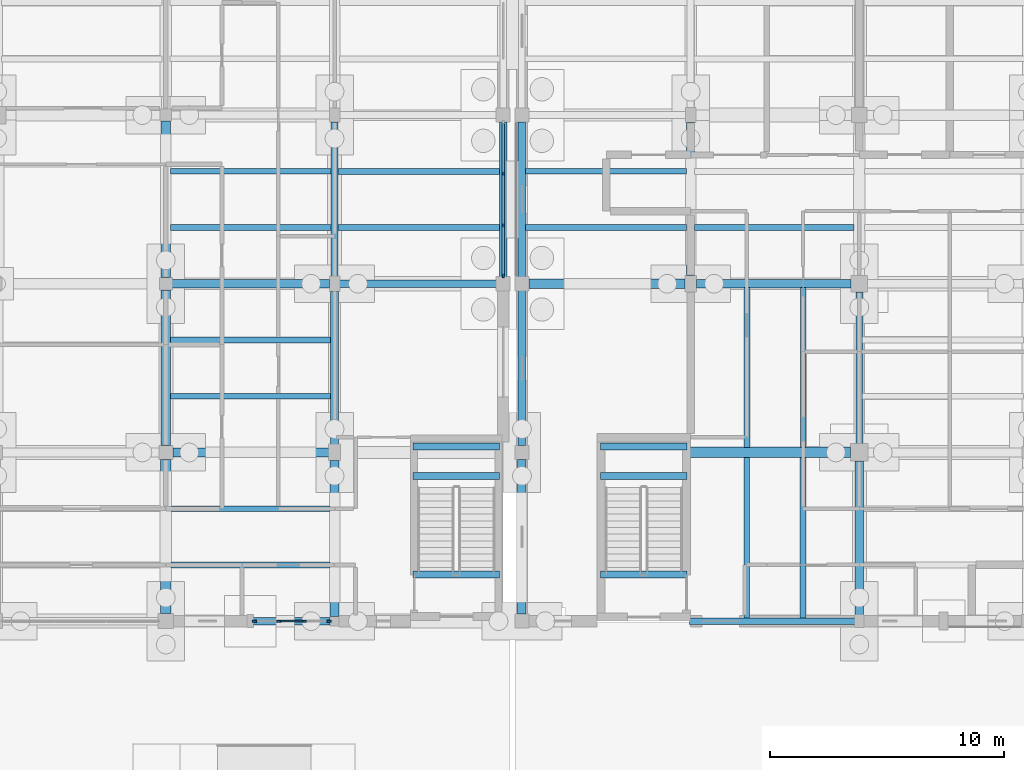
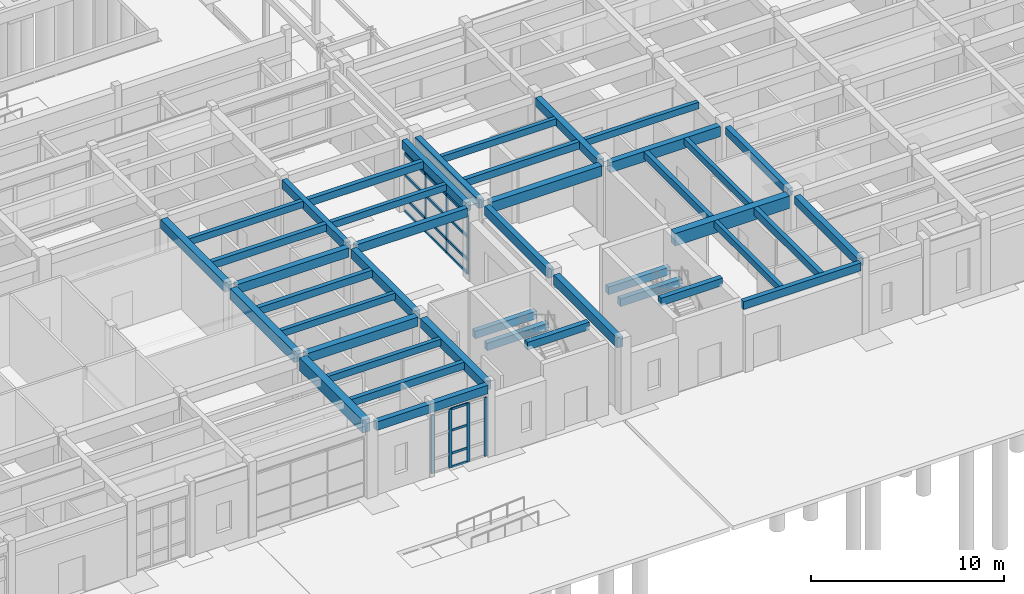
# One storey, part 43 of 143: 42 beams, 23 members, 2 elements without a shape of their own.
"""IFC4 building model written with IfcOpenShell, lengths in metres."""

from ifc_helpers import new_model, si_unit, direction, frame, origin, origin_2d, place, context, subcontext, project, spatial, rectangle, extrude, material, material_profile, profile_set, type_object, element, aggregate, save


model = new_model("IFC4")

# Units and contexts
model_context = context("Model", 3, precision=1e-05, world=origin(), true_north=direction((0.0, 1.0)))
body_context = subcontext(model_context, "Body", "Model", "MODEL_VIEW")
ifc_project = project(units=[si_unit("LENGTHUNIT", "METRE"), si_unit("AREAUNIT", "SQUARE_METRE"), si_unit("VOLUMEUNIT", "CUBIC_METRE"), si_unit("PLANEANGLEUNIT", "RADIAN"), si_unit("MASSUNIT", "GRAM", prefix="KILO")], contexts=[model_context])

# Site, building, storey
site_placement = place(None, origin())
site = spatial("IfcSite", under=ifc_project, at=site_placement, CompositionType="ELEMENT")
building_placement = place(site_placement, origin())
building = spatial("IfcBuilding", under=site, at=building_placement, Name="Steenspoor Specialist Clinic", CompositionType="ELEMENT")
storey_placement = place(building_placement, origin())
storey = spatial("IfcBuildingStorey", under=building, at=storey_placement, Name="L00", CompositionType="ELEMENT", Elevation=0.0)

# Beams
ifc_material_1 = material(Name="Concrete C35/45", Category="concrete")
ifc_material_profile_1 = material_profile(ifc_material_1, rectangle(XDim=0.300048828125, YDim=0.47998046875, at=origin_2d()), Name="RC-BM-300X480")
ifc_profile_set_1 = profile_set([ifc_material_profile_1], Name="Concrete C35/45")
beam_type_1 = type_object("IfcBeamType", Name="BM-RC-300X480", PredefinedType="BEAM", material=ifc_profile_set_1)
for number, where, z_axis, x_axis, name in (
    (1, (113.35009765625, 19.25, 1.9599609375), (1.0, 0.0, 0.0), (0.0, 1.0, 0.0), "Stair Mid-Landing Bearer 1 ST-V1B L00"),
    (2, (113.35009765625, 20.5, 1.9599609375), (1.0, 0.0, 0.0), (0.0, 1.0, 0.0), "Stair Mid-Landing Bearer 2 ST-V1B L00"),
    (3, (113.35009765625, 15.050048828125, 4.56005859375), (1.0, 0.0, 0.0), (0.0, 1.0, 0.0), "Stair Well Trimmer Beam ST-V1B L00"),
    (4, (121.35009765625, 19.25, 1.9599609375), (1.0, 0.0, 0.0), (0.0, 1.0, 0.0), "Stair Mid-Landing Bearer 1 ST-V2A L00"),
    (5, (121.35009765625, 20.5, 1.9599609375), (1.0, 0.0, 0.0), (0.0, 1.0, 0.0), "Stair Mid-Landing Bearer 2 ST-V2A L00"),
    (6, (121.35009765625, 15.050048828125, 4.56005859375), (1.0, 0.0, 0.0), (0.0, 1.0, 0.0), "Stair Well Trimmer Beam ST-V2A L00"),
):
    element("IfcBeam", number, at=place(storey_placement, frame(where, z_axis=z_axis, x_axis=x_axis)), inside=storey, type_object=beam_type_1, Name=name, PredefinedType="BEAM", context=body_context, shape_type="SweptSolid", body=[
        extrude(rectangle(XDim=0.300048828125, YDim=0.47998046875, at=origin_2d()), origin(), (0.0, 0.0, 1.0), 3.699951171875),
    ])
beam_1_placement = place(storey_placement, frame((132.39990234375, 20.6201171875, 4.219970703125), z_axis=(0.0, 1.0, 0.0), x_axis=(-1.0, 0.0, 0.0)))
element("IfcBeam", 7, at=beam_1_placement, inside=storey, type_object=beam_type_1, Name="BM-V2-L00-Y0188", PredefinedType="BEAM", context=body_context, shape_type="SweptSolid", body=[
    extrude(rectangle(XDim=0.300048828125, YDim=0.47998046875, at=origin_2d()), origin(), (0.0, 0.0, 1.0), 6.48486328125),
])
ifc_material_profile_2 = material_profile(ifc_material_1, rectangle(XDim=0.300048828125, YDim=0.550048828125, at=origin_2d()), Name="RC-BM-300X550")
ifc_profile_set_2 = profile_set([ifc_material_profile_2], Name="Concrete C35/45")
beam_type_2 = type_object("IfcBeamType", Name="BM-RC-300X550", PredefinedType="BEAM", material=ifc_profile_set_2)
beam_2_placement = place(storey_placement, frame((110.219970703125, 27.449951171875, 4.27490234375), z_axis=(1.0, 0.0, 0.0), x_axis=(0.0, 1.0, 0.0)))
element("IfcBeam", 8, at=beam_2_placement, inside=storey, type_object=beam_type_2, Name="BM-V1-L00-X0019", PredefinedType="BEAM", context=body_context, shape_type="SweptSolid", body=[
    extrude(rectangle(XDim=0.300048828125, YDim=0.550048828125, at=origin_2d()), origin(), (0.0, 0.0, 1.0), 6.68505859375),
])
beam_3_placement = place(storey_placement, frame((110.0, 27.77001953125, 4.27490234375), z_axis=(0.0, 1.0, 0.0), x_axis=(-1.0, 0.0, 0.0)))
element("IfcBeam", 9, at=beam_3_placement, inside=storey, type_object=beam_type_2, Name="BM-V1-L00-Y0066", PredefinedType="BEAM", context=body_context, shape_type="SweptSolid", body=[
    extrude(rectangle(XDim=0.300048828125, YDim=0.550048828125, at=origin_2d()), origin(), (0.0, 0.0, 1.0), 6.5849609375),
])
ifc_material_profile_3 = material_profile(ifc_material_1, rectangle(XDim=0.35009765625, YDim=0.52001953125, at=origin_2d()), Name="RC-BM-350X520")
ifc_profile_set_3 = profile_set([ifc_material_profile_3], Name="Concrete C35/45")
beam_type_3 = type_object("IfcBeamType", Name="BM-RC-350X520", PredefinedType="BEAM", material=ifc_profile_set_3)
beam_4_placement = place(storey_placement, frame((125.199951171875, 27.794921875, 4.199951171875), z_axis=(0.0, 1.0, 0.0), x_axis=(-1.0, 0.0, 0.0)))
element("IfcBeam", 10, at=beam_4_placement, inside=storey, type_object=beam_type_3, Name="BM-V2-L00-Y0185", PredefinedType="BEAM", context=body_context, shape_type="SweptSolid", body=[
    extrude(rectangle(XDim=0.35009765625, YDim=0.52001953125, at=origin_2d()), origin(), (0.0, 0.0, 1.0), 6.53515625),
])
beam_5_placement = place(storey_placement, frame((132.39990234375, 13.320068359375, 4.199951171875), z_axis=(0.0, 1.0, 0.0), x_axis=(-1.0, 0.0, 0.0)))
element("IfcBeam", 11, at=beam_5_placement, inside=storey, type_object=beam_type_3, Name="BM-V2-L00-Y0187", PredefinedType="BEAM", context=body_context, shape_type="SweptSolid", body=[
    extrude(rectangle(XDim=0.35009765625, YDim=0.52001953125, at=origin_2d()), origin(), (0.0, 0.0, 1.0), 6.559814453125),
])
ifc_material_profile_4 = material_profile(ifc_material_1, rectangle(XDim=0.35009765625, YDim=0.580078125, at=origin_2d()), Name="RC-BM-350X580")
ifc_profile_set_4 = profile_set([ifc_material_profile_4], Name="Concrete C35/45")
beam_type_4 = type_object("IfcBeamType", Name="BM-RC-350X580", PredefinedType="BEAM", material=ifc_profile_set_4)
beam_6_placement = place(storey_placement, frame((103.070068359375, 27.449951171875, 4.260009765625), z_axis=(1.0, 0.0, 0.0), x_axis=(0.0, 1.0, 0.0)))
element("IfcBeam", 12, at=beam_6_placement, inside=storey, type_object=beam_type_4, Name="BM-V1-L00-X0018", PredefinedType="BEAM", context=body_context, shape_type="SweptSolid", body=[
    extrude(rectangle(XDim=0.35009765625, YDim=0.580078125, at=origin_2d()), origin(), (0.0, 0.0, 1.0), 6.7099609375),
])
beam_7_placement = place(storey_placement, frame((110.0, 20.594970703125, 4.260009765625), z_axis=(0.0, 1.0, 0.0), x_axis=(-1.0, 0.0, 0.0)))
element("IfcBeam", 13, at=beam_7_placement, inside=storey, type_object=beam_type_4, Name="BM-V1-L00-Y0065", PredefinedType="BEAM", context=body_context, shape_type="SweptSolid", body=[
    extrude(rectangle(XDim=0.35009765625, YDim=0.580078125, at=origin_2d()), origin(), (0.0, 0.0, 1.0), 6.534912109375),
])
ifc_material_profile_5 = material_profile(ifc_material_1, rectangle(XDim=0.35009765625, YDim=0.64990234375, at=origin_2d()), Name="RC-BM-350X650")
ifc_profile_set_5 = profile_set([ifc_material_profile_5], Name="Concrete C35/45")
beam_type_5 = type_object("IfcBeamType", Name="BM-RC-350X650", PredefinedType="BEAM", material=ifc_profile_set_5)
beam_8_placement = place(storey_placement, frame((125.445068359375, 27.449951171875, 4.135009765625), z_axis=(1.0, 0.0, 0.0), x_axis=(0.0, 1.0, 0.0)))
element("IfcBeam", 14, at=beam_8_placement, inside=storey, type_object=beam_type_5, Name="BM-V2-L00-X0164", PredefinedType="BEAM", context=body_context, shape_type="SweptSolid", body=[
    extrude(rectangle(XDim=0.35009765625, YDim=0.64990234375, at=origin_2d()), origin(), (0.0, 0.0, 1.0), 6.60986328125),
])
ifc_material_profile_6 = material_profile(ifc_material_1, rectangle(XDim=0.39990234375, YDim=0.580078125, at=origin_2d()), Name="RC-BM-400X580")
ifc_profile_set_6 = profile_set([ifc_material_profile_6], Name="Concrete C35/45")
beam_type_6 = type_object("IfcBeamType", Name="BM-RC-400X580", PredefinedType="BEAM", material=ifc_profile_set_6)
beam_9_placement = place(storey_placement, frame((103.094970703125, 20.25, 4.260009765625), z_axis=(1.0, 0.0, 0.0), x_axis=(0.0, 1.0, 0.0)))
element("IfcBeam", 15, at=beam_9_placement, inside=storey, type_object=beam_type_6, Name="BM-V1-L00-X0016", PredefinedType="BEAM", context=body_context, shape_type="SweptSolid", body=[
    extrude(rectangle(XDim=0.39990234375, YDim=0.580078125, at=origin_2d()), origin(), (0.0, 0.0, 1.0), 6.659912109375),
])
beam_10_placement = place(storey_placement, frame((102.800048828125, 27.719970703125, 4.260009765625), z_axis=(0.0, 1.0, 0.0), x_axis=(-1.0, 0.0, 0.0)))
element("IfcBeam", 16, at=beam_10_placement, inside=storey, type_object=beam_type_6, Name="BM-V1-L00-Y0062", PredefinedType="BEAM", context=body_context, shape_type="SweptSolid", body=[
    extrude(rectangle(XDim=0.39990234375, YDim=0.580078125, at=origin_2d()), origin(), (0.0, 0.0, 1.0), 6.68505859375),
])
beam_11_placement = place(storey_placement, frame((110.0, 13.2451171875, 4.260009765625), z_axis=(0.0, 1.0, 0.0), x_axis=(-1.0, 0.0, 0.0)))
element("IfcBeam", 17, at=beam_11_placement, inside=storey, type_object=beam_type_6, Name="BM-V1-L00-Y0064", PredefinedType="BEAM", context=body_context, shape_type="SweptSolid", body=[
    extrude(rectangle(XDim=0.39990234375, YDim=0.580078125, at=origin_2d()), origin(), (0.0, 0.0, 1.0), 6.659912109375),
])
ifc_material_profile_7 = material_profile(ifc_material_1, rectangle(XDim=0.39990234375, YDim=0.64990234375, at=origin_2d()), Name="RC-BM-400X650")
ifc_profile_set_7 = profile_set([ifc_material_profile_7], Name="Concrete C35/45")
beam_type_7 = type_object("IfcBeamType", Name="BM-RC-400X650", PredefinedType="BEAM", material=ifc_profile_set_7)
beam_12_placement = place(storey_placement, frame((118.294921875, 27.449951171875, 4.135009765625), z_axis=(1.0, 0.0, 0.0), x_axis=(0.0, 1.0, 0.0)))
element("IfcBeam", 18, at=beam_12_placement, inside=storey, type_object=beam_type_7, Name="BM-V2-L00-X0163", PredefinedType="BEAM", context=body_context, shape_type="SweptSolid", body=[
    extrude(rectangle(XDim=0.39990234375, YDim=0.64990234375, at=origin_2d()), origin(), (0.0, 0.0, 1.0), 6.66015625),
])
ifc_material_profile_8 = material_profile(ifc_material_1, rectangle(XDim=0.39990234375, YDim=0.699951171875, at=origin_2d()), Name="RC-BM-400X700")
ifc_profile_set_8 = profile_set([ifc_material_profile_8], Name="Concrete C35/45")
beam_type_8 = type_object("IfcBeamType", Name="BM-RC-400X700", PredefinedType="BEAM", material=ifc_profile_set_8)
beam_13_placement = place(storey_placement, frame((102.800048828125, 20.544921875, 4.199951171875), z_axis=(0.0, 1.0, 0.0), x_axis=(-1.0, 0.0, 0.0)))
element("IfcBeam", 19, at=beam_13_placement, inside=storey, type_object=beam_type_8, Name="BM-V1-L00-Y0061", PredefinedType="BEAM", context=body_context, shape_type="SweptSolid", body=[
    extrude(rectangle(XDim=0.39990234375, YDim=0.699951171875, at=origin_2d()), origin(), (0.0, 0.0, 1.0), 6.635009765625),
])
ifc_material_profile_9 = material_profile(ifc_material_1, rectangle(XDim=0.449951171875, YDim=0.800048828125, at=origin_2d()), Name="RC-BM-450X800")
ifc_profile_set_9 = profile_set([ifc_material_profile_9], Name="Concrete C35/45")
beam_type_9 = type_object("IfcBeamType", Name="BM-RC-450X800", PredefinedType="BEAM", material=ifc_profile_set_9)
beam_14_placement = place(storey_placement, frame((102.800048828125, 13.3701171875, 4.14990234375), z_axis=(0.0, 1.0, 0.0), x_axis=(-1.0, 0.0, 0.0)))
element("IfcBeam", 20, at=beam_14_placement, inside=storey, type_object=beam_type_9, Name="BM-V1-L00-Y0060", PredefinedType="BEAM", context=body_context, shape_type="SweptSolid", body=[
    extrude(rectangle(XDim=0.449951171875, YDim=0.800048828125, at=origin_2d()), origin(), (0.0, 0.0, 1.0), 6.5849609375),
])
beam_15_placement = place(storey_placement, frame((125.155029296875, 20.25, 4.06005859375), z_axis=(1.0, 0.0, 0.0), x_axis=(0.0, 1.0, 0.0)))
element("IfcBeam", 21, at=beam_15_placement, inside=storey, type_object=beam_type_9, Name="BM-V2-L00-X0159", PredefinedType="BEAM", context=body_context, shape_type="SweptSolid", body=[
    extrude(rectangle(XDim=0.449951171875, YDim=0.800048828125, at=origin_2d()), origin(), (0.0, 0.0, 1.0), 6.875),
])

# Curtain wall, members
ifc_material_2 = material(Name="Thermally broken aluminium and low-emissivity glass", Category="aluminium")
curtain_wall_type_1 = type_object("IfcCurtainWallType", Name="CW-TYP-360X355", PredefinedType="USERDEFINED", material=ifc_material_2)
curtain_wall_1_placement = place(storey_placement, origin())
curtain_wall_1 = element("IfcCurtainWall", 22, at=curtain_wall_1_placement, inside=storey, type_object=curtain_wall_type_1, Name="Unitised Curtain Wall CW-V1-L00-014", ObjectType="UNITISED GLAZING", PredefinedType="USERDEFINED")
ifc_material_3 = material(Name="Thermally broken aluminium 6063-T6", Category="aluminium")
ifc_material_profile_10 = material_profile(ifc_material_3, rectangle(XDim=0.070068359375, YDim=0.1650390625, at=origin_2d()), Name="CWM-70X165")
ifc_profile_set_10 = profile_set([ifc_material_profile_10], Name="Thermally broken aluminium 6063-T6")
member_type_1 = type_object("IfcMemberType", Name="CW-MULL-70X165", PredefinedType="MULLION", material=ifc_profile_set_10)
member_1_placement = place(storey_placement, frame((117.199951171875, 32.14990234375, 0.0), z_axis=(0.0, 0.0, 1.0), x_axis=(1.0, 0.0, 0.0)))
member_1 = element("IfcMember", 23, at=member_1_placement, type_object=member_type_1, Name="CW-14 mullion 2", PredefinedType="MULLION", context=body_context, shape_type="SweptSolid", body=[
    extrude(rectangle(XDim=0.070068359375, YDim=0.1650390625, at=origin_2d()), origin(), (0.0, 0.0, 1.0), 3.72998046875),
])
member_2_placement = place(storey_placement, frame((117.199951171875, 29.949951171875, 0.0), z_axis=(0.0, 0.0, 1.0), x_axis=(1.0, 0.0, 0.0)))
member_2 = element("IfcMember", 24, at=member_2_placement, type_object=member_type_1, Name="CW-14 mullion 3", PredefinedType="MULLION", context=body_context, shape_type="SweptSolid", body=[
    extrude(rectangle(XDim=0.070068359375, YDim=0.1650390625, at=origin_2d()), origin(), (0.0, 0.0, 1.0), 3.72998046875),
])
member_3_placement = place(storey_placement, frame((117.199951171875, 27.784912109375, 0.0), z_axis=(0.0, 0.0, 1.0), x_axis=(1.0, 0.0, 0.0)))
member_3 = element("IfcMember", 25, at=member_3_placement, type_object=member_type_1, Name="CW-14 mullion 4", PredefinedType="MULLION", context=body_context, shape_type="SweptSolid", body=[
    extrude(rectangle(XDim=0.070068359375, YDim=0.1650390625, at=origin_2d()), origin(), (0.0, 0.0, 1.0), 3.72998046875),
])

curtain_wall_type_2 = type_object("IfcCurtainWallType", Name="CW-HALL-660X820", PredefinedType="USERDEFINED", material=ifc_material_2)
curtain_wall_2_placement = place(storey_placement, origin())
curtain_wall_2 = element("IfcCurtainWall", 26, at=curtain_wall_2_placement, inside=storey, type_object=curtain_wall_type_2, Name="Unitised Curtain Wall CW-V1-L00-001", ObjectType="UNITISED GLAZING", PredefinedType="USERDEFINED")
ifc_material_profile_11 = material_profile(ifc_material_3, rectangle(XDim=0.080078125, YDim=0.179931640625, at=origin_2d()), Name="CWM-80X180")
ifc_profile_set_11 = profile_set([ifc_material_profile_11], Name="Thermally broken aluminium 6063-T6")
member_type_2 = type_object("IfcMemberType", Name="CW-MULL-80X180", PredefinedType="MULLION", material=ifc_profile_set_11)
member_4_placement = place(storey_placement, frame((109.760009765625, 13.050048828125, 0.0), z_axis=(0.0, 0.0, 1.0), x_axis=(0.0, -1.0, 0.0)))
member_4 = element("IfcMember", 27, at=member_4_placement, type_object=member_type_2, Name="CW-01 mullion 1", PredefinedType="MULLION", context=body_context, shape_type="SweptSolid", body=[
    extrude(rectangle(XDim=0.080078125, YDim=0.179931640625, at=origin_2d()), origin(), (0.0, 0.0, 1.0), 3.72998046875),
])
member_5_placement = place(storey_placement, frame((108.71337890625, 13.050048828125, 0.0), z_axis=(0.0, 0.0, 1.0), x_axis=(0.0, -1.0, 0.0)))
member_5 = element("IfcMember", 28, at=member_5_placement, type_object=member_type_2, Name="CW-01 mullion 2", PredefinedType="MULLION", context=body_context, shape_type="SweptSolid", body=[
    extrude(rectangle(XDim=0.080078125, YDim=0.179931640625, at=origin_2d()), origin(), (0.0, 0.0, 1.0), 3.72998046875),
])
member_6_placement = place(storey_placement, frame((107.626708984375, 13.050048828125, 0.0), z_axis=(0.0, 0.0, 1.0), x_axis=(0.0, -1.0, 0.0)))
member_6 = element("IfcMember", 29, at=member_6_placement, type_object=member_type_2, Name="CW-01 mullion 3", PredefinedType="MULLION", context=body_context, shape_type="SweptSolid", body=[
    extrude(rectangle(XDim=0.080078125, YDim=0.179931640625, at=origin_2d()), origin(), (0.0, 0.0, 1.0), 3.72998046875),
])
member_7_placement = place(storey_placement, frame((106.580078125, 13.050048828125, 0.0), z_axis=(0.0, 0.0, 1.0), x_axis=(0.0, -1.0, 0.0)))
member_7 = element("IfcMember", 30, at=member_7_placement, type_object=member_type_2, Name="CW-01 mullion 4", PredefinedType="MULLION", context=body_context, shape_type="SweptSolid", body=[
    extrude(rectangle(XDim=0.080078125, YDim=0.179931640625, at=origin_2d()), origin(), (0.0, 0.0, 1.0), 3.72998046875),
])
ifc_material_profile_12 = material_profile(ifc_material_3, rectangle(XDim=0.070068359375, YDim=0.14501953125, at=origin_2d()), Name="CWT-70X145")
ifc_profile_set_12 = profile_set([ifc_material_profile_12], Name="Thermally broken aluminium 6063-T6")
member_type_3 = type_object("IfcMemberType", Name="CW-TRAN-70X145", PredefinedType="USERDEFINED", material=ifc_profile_set_12)
member_8_placement = place(storey_placement, frame((108.67333984375, 13.050048828125, 0.034912109375), z_axis=(-1.0, 0.0, 0.0), x_axis=(0.0, -1.0, 0.0)))
member_8 = element("IfcMember", 31, at=member_8_placement, type_object=member_type_3, Name="CW-01 transom 2.1", ObjectType="TRANSOM", PredefinedType="USERDEFINED", context=body_context, shape_type="SweptSolid", body=[
    extrude(rectangle(XDim=0.070068359375, YDim=0.14501953125, at=origin_2d()), origin(), (0.0, 0.0, 1.0), 1.006591796875),
])
member_9_placement = place(storey_placement, frame((108.67333984375, 13.050048828125, 0.89990234375), z_axis=(-1.0, 0.0, 0.0), x_axis=(0.0, -1.0, 0.0)))
member_9 = element("IfcMember", 32, at=member_9_placement, type_object=member_type_3, Name="CW-01 transom 2.2", ObjectType="TRANSOM", PredefinedType="USERDEFINED", context=body_context, shape_type="SweptSolid", body=[
    extrude(rectangle(XDim=0.070068359375, YDim=0.14501953125, at=origin_2d()), origin(), (0.0, 0.0, 1.0), 1.006591796875),
])
member_10_placement = place(storey_placement, frame((108.67333984375, 13.050048828125, 2.35009765625), z_axis=(-1.0, 0.0, 0.0), x_axis=(0.0, -1.0, 0.0)))
member_10 = element("IfcMember", 33, at=member_10_placement, type_object=member_type_3, Name="CW-01 transom 2.3", ObjectType="TRANSOM", PredefinedType="USERDEFINED", context=body_context, shape_type="SweptSolid", body=[
    extrude(rectangle(XDim=0.070068359375, YDim=0.14501953125, at=origin_2d()), origin(), (0.0, 0.0, 1.0), 1.006591796875),
])
member_11_placement = place(storey_placement, frame((108.67333984375, 13.050048828125, 3.695068359375), z_axis=(-1.0, 0.0, 0.0), x_axis=(0.0, -1.0, 0.0)))
member_11 = element("IfcMember", 34, at=member_11_placement, type_object=member_type_3, Name="CW-01 transom 2.4", ObjectType="TRANSOM", PredefinedType="USERDEFINED", context=body_context, shape_type="SweptSolid", body=[
    extrude(rectangle(XDim=0.070068359375, YDim=0.14501953125, at=origin_2d()), origin(), (0.0, 0.0, 1.0), 1.006591796875),
])
aggregate(curtain_wall_2, [member_4, member_5, member_6, member_7, member_8, member_9, member_10, member_11])

# Member
ifc_material_profile_13 = material_profile(ifc_material_3, rectangle(XDim=0.090087890625, YDim=0.175048828125, at=origin_2d()), Name="CWT-90X175")
ifc_profile_set_13 = profile_set([ifc_material_profile_13], Name="Thermally broken aluminium 6063-T6")
member_type_4 = type_object("IfcMemberType", Name="CW-TRAN-90X175", PredefinedType="USERDEFINED", material=ifc_profile_set_13)
member_12_placement = place(storey_placement, frame((117.199951171875, 34.280029296875, 0.044921875), z_axis=(0.0, -1.0, 0.0), x_axis=(1.0, 0.0, 0.0)))
member_12 = element("IfcMember", 35, at=member_12_placement, type_object=member_type_4, Name="CW-14 transom 1.1", ObjectType="TRANSOM", PredefinedType="USERDEFINED", context=body_context, shape_type="SweptSolid", body=[
    extrude(rectangle(XDim=0.090087890625, YDim=0.175048828125, at=origin_2d()), origin(), (0.0, 0.0, 1.0), 2.094970703125),
])

member_13_placement = place(storey_placement, frame((117.199951171875, 34.280029296875, 0.89990234375), z_axis=(0.0, -1.0, 0.0), x_axis=(1.0, 0.0, 0.0)))
member_13 = element("IfcMember", 36, at=member_13_placement, type_object=member_type_4, Name="CW-14 transom 1.2", ObjectType="TRANSOM", PredefinedType="USERDEFINED", context=body_context, shape_type="SweptSolid", body=[
    extrude(rectangle(XDim=0.090087890625, YDim=0.175048828125, at=origin_2d()), origin(), (0.0, 0.0, 1.0), 2.094970703125),
])

member_14_placement = place(storey_placement, frame((117.199951171875, 34.280029296875, 2.35009765625), z_axis=(0.0, -1.0, 0.0), x_axis=(1.0, 0.0, 0.0)))
member_14 = element("IfcMember", 37, at=member_14_placement, type_object=member_type_4, Name="CW-14 transom 1.3", ObjectType="TRANSOM", PredefinedType="USERDEFINED", context=body_context, shape_type="SweptSolid", body=[
    extrude(rectangle(XDim=0.090087890625, YDim=0.175048828125, at=origin_2d()), origin(), (0.0, 0.0, 1.0), 2.094970703125),
])

member_15_placement = place(storey_placement, frame((117.199951171875, 34.280029296875, 3.68505859375), z_axis=(0.0, -1.0, 0.0), x_axis=(1.0, 0.0, 0.0)))
member_15 = element("IfcMember", 38, at=member_15_placement, type_object=member_type_4, Name="CW-14 transom 1.4", ObjectType="TRANSOM", PredefinedType="USERDEFINED", context=body_context, shape_type="SweptSolid", body=[
    extrude(rectangle(XDim=0.090087890625, YDim=0.175048828125, at=origin_2d()), origin(), (0.0, 0.0, 1.0), 2.094970703125),
])

member_16_placement = place(storey_placement, frame((117.199951171875, 32.114990234375, 0.044921875), z_axis=(0.0, -1.0, 0.0), x_axis=(1.0, 0.0, 0.0)))
member_16 = element("IfcMember", 39, at=member_16_placement, type_object=member_type_4, Name="CW-14 transom 2.1", ObjectType="TRANSOM", PredefinedType="USERDEFINED", context=body_context, shape_type="SweptSolid", body=[
    extrude(rectangle(XDim=0.090087890625, YDim=0.175048828125, at=origin_2d()), origin(), (0.0, 0.0, 1.0), 2.1298828125),
])

member_17_placement = place(storey_placement, frame((117.199951171875, 32.114990234375, 0.89990234375), z_axis=(0.0, -1.0, 0.0), x_axis=(1.0, 0.0, 0.0)))
member_17 = element("IfcMember", 40, at=member_17_placement, type_object=member_type_4, Name="CW-14 transom 2.2", ObjectType="TRANSOM", PredefinedType="USERDEFINED", context=body_context, shape_type="SweptSolid", body=[
    extrude(rectangle(XDim=0.090087890625, YDim=0.175048828125, at=origin_2d()), origin(), (0.0, 0.0, 1.0), 2.1298828125),
])

member_18_placement = place(storey_placement, frame((117.199951171875, 32.114990234375, 2.35009765625), z_axis=(0.0, -1.0, 0.0), x_axis=(1.0, 0.0, 0.0)))
member_18 = element("IfcMember", 41, at=member_18_placement, type_object=member_type_4, Name="CW-14 transom 2.3", ObjectType="TRANSOM", PredefinedType="USERDEFINED", context=body_context, shape_type="SweptSolid", body=[
    extrude(rectangle(XDim=0.090087890625, YDim=0.175048828125, at=origin_2d()), origin(), (0.0, 0.0, 1.0), 2.1298828125),
])

member_19_placement = place(storey_placement, frame((117.199951171875, 32.114990234375, 3.68505859375), z_axis=(0.0, -1.0, 0.0), x_axis=(1.0, 0.0, 0.0)))
member_19 = element("IfcMember", 42, at=member_19_placement, type_object=member_type_4, Name="CW-14 transom 2.4", ObjectType="TRANSOM", PredefinedType="USERDEFINED", context=body_context, shape_type="SweptSolid", body=[
    extrude(rectangle(XDim=0.090087890625, YDim=0.175048828125, at=origin_2d()), origin(), (0.0, 0.0, 1.0), 2.1298828125),
])

member_20_placement = place(storey_placement, frame((117.199951171875, 29.9150390625, 0.044921875), z_axis=(0.0, -1.0, 0.0), x_axis=(1.0, 0.0, 0.0)))
member_20 = element("IfcMember", 43, at=member_20_placement, type_object=member_type_4, Name="CW-14 transom 3.1", ObjectType="TRANSOM", PredefinedType="USERDEFINED", context=body_context, shape_type="SweptSolid", body=[
    extrude(rectangle(XDim=0.090087890625, YDim=0.175048828125, at=origin_2d()), origin(), (0.0, 0.0, 1.0), 2.094970703125),
])

member_21_placement = place(storey_placement, frame((117.199951171875, 29.9150390625, 0.89990234375), z_axis=(0.0, -1.0, 0.0), x_axis=(1.0, 0.0, 0.0)))
member_21 = element("IfcMember", 44, at=member_21_placement, type_object=member_type_4, Name="CW-14 transom 3.2", ObjectType="TRANSOM", PredefinedType="USERDEFINED", context=body_context, shape_type="SweptSolid", body=[
    extrude(rectangle(XDim=0.090087890625, YDim=0.175048828125, at=origin_2d()), origin(), (0.0, 0.0, 1.0), 2.094970703125),
])

member_22_placement = place(storey_placement, frame((117.199951171875, 29.9150390625, 2.35009765625), z_axis=(0.0, -1.0, 0.0), x_axis=(1.0, 0.0, 0.0)))
member_22 = element("IfcMember", 45, at=member_22_placement, type_object=member_type_4, Name="CW-14 transom 3.3", ObjectType="TRANSOM", PredefinedType="USERDEFINED", context=body_context, shape_type="SweptSolid", body=[
    extrude(rectangle(XDim=0.090087890625, YDim=0.175048828125, at=origin_2d()), origin(), (0.0, 0.0, 1.0), 2.094970703125),
])

member_23_placement = place(storey_placement, frame((117.199951171875, 29.9150390625, 3.68505859375), z_axis=(0.0, -1.0, 0.0), x_axis=(1.0, 0.0, 0.0)))
member_23 = element("IfcMember", 46, at=member_23_placement, type_object=member_type_4, Name="CW-14 transom 3.4", ObjectType="TRANSOM", PredefinedType="USERDEFINED", context=body_context, shape_type="SweptSolid", body=[
    extrude(rectangle(XDim=0.090087890625, YDim=0.175048828125, at=origin_2d()), origin(), (0.0, 0.0, 1.0), 2.094970703125),
])

aggregate(curtain_wall_1, [member_1, member_2, member_3, member_12, member_13, member_14, member_15, member_16, member_17, member_18, member_19, member_20, member_21, member_22, member_23])

# Beams
ifc_material_profile_14 = material_profile(ifc_material_1, rectangle(XDim=0.239990234375, YDim=0.419921875, at=origin_2d()), Name="RC-JT-240X420")
ifc_profile_set_14 = profile_set([ifc_material_profile_14], Name="Concrete C35/45")
beam_type_10 = type_object("IfcBeamType", Name="JT-RC-240X420", PredefinedType="JOIST", material=ifc_profile_set_14)
beam_16_placement = place(storey_placement, frame((103.02001953125, 17.85009765625, 4.340087890625), z_axis=(1.0, 0.0, 0.0), x_axis=(0.0, 1.0, 0.0)))
element("IfcBeam", 47, at=beam_16_placement, inside=storey, type_object=beam_type_10, Name="JT-V1-L00-0104", PredefinedType="JOIST", context=body_context, shape_type="SweptSolid", body=[
    extrude(rectangle(XDim=0.239990234375, YDim=0.419921875, at=origin_2d()), origin(), (0.0, 0.0, 1.0), 6.784912109375),
])
beam_17_placement = place(storey_placement, frame((102.9951171875, 22.64990234375, 4.340087890625), z_axis=(1.0, 0.0, 0.0), x_axis=(0.0, 1.0, 0.0)))
element("IfcBeam", 48, at=beam_17_placement, inside=storey, type_object=beam_type_10, Name="JT-V1-L00-0105", PredefinedType="JOIST", context=body_context, shape_type="SweptSolid", body=[
    extrude(rectangle(XDim=0.239990234375, YDim=0.419921875, at=origin_2d()), origin(), (0.0, 0.0, 1.0), 6.8349609375),
])
beam_18_placement = place(storey_placement, frame((102.9951171875, 32.25, 4.340087890625), z_axis=(1.0, 0.0, 0.0), x_axis=(0.0, 1.0, 0.0)))
element("IfcBeam", 49, at=beam_18_placement, inside=storey, type_object=beam_type_10, Name="JT-V1-L00-0108", PredefinedType="JOIST", context=body_context, shape_type="SweptSolid", body=[
    extrude(rectangle(XDim=0.239990234375, YDim=0.419921875, at=origin_2d()), origin(), (0.0, 0.0, 1.0), 6.85986328125),
])
beam_19_placement = place(storey_placement, frame((110.14501953125, 29.85009765625, 4.340087890625), z_axis=(1.0, 0.0, 0.0), x_axis=(0.0, 1.0, 0.0)))
element("IfcBeam", 50, at=beam_19_placement, inside=storey, type_object=beam_type_10, Name="JT-V1-L00-0111", PredefinedType="JOIST", context=body_context, shape_type="SweptSolid", body=[
    extrude(rectangle(XDim=0.239990234375, YDim=0.419921875, at=origin_2d()), origin(), (0.0, 0.0, 1.0), 6.89990234375),
])
beam_20_placement = place(storey_placement, frame((118.155029296875, 32.25, 4.25), z_axis=(1.0, 0.0, 0.0), x_axis=(0.0, 1.0, 0.0)))
element("IfcBeam", 51, at=beam_20_placement, inside=storey, type_object=beam_type_10, Name="JT-V2-L00-0206", PredefinedType="JOIST", context=body_context, shape_type="SweptSolid", body=[
    extrude(rectangle(XDim=0.239990234375, YDim=0.419921875, at=origin_2d()), origin(), (0.0, 0.0, 1.0), 6.875),
])
beam_21_placement = place(storey_placement, frame((127.60009765625, 13.18505859375, 4.25), z_axis=(0.0, 1.0, 0.0), x_axis=(-1.0, 0.0, 0.0)))
element("IfcBeam", 52, at=beam_21_placement, inside=storey, type_object=beam_type_10, Name="JT-V2-L00-0209", PredefinedType="JOIST", context=body_context, shape_type="SweptSolid", body=[
    extrude(rectangle(XDim=0.239990234375, YDim=0.419921875, at=origin_2d()), origin(), (0.0, 0.0, 1.0), 6.844970703125),
])
beam_22_placement = place(storey_placement, frame((130.0, 20.469970703125, 4.25), z_axis=(0.0, 1.0, 0.0), x_axis=(-1.0, 0.0, 0.0)))
element("IfcBeam", 53, at=beam_22_placement, inside=storey, type_object=beam_type_10, Name="JT-V2-L00-0212", PredefinedType="JOIST", context=body_context, shape_type="SweptSolid", body=[
    extrude(rectangle(XDim=0.239990234375, YDim=0.419921875, at=origin_2d()), origin(), (0.0, 0.0, 1.0), 6.81005859375),
])
beam_23_placement = place(storey_placement, frame((125.3701171875, 29.85009765625, 4.25), z_axis=(1.0, 0.0, 0.0), x_axis=(0.0, 1.0, 0.0)))
element("IfcBeam", 54, at=beam_23_placement, inside=storey, type_object=beam_type_10, Name="JT-V2-L00-0213", PredefinedType="JOIST", context=body_context, shape_type="SweptSolid", body=[
    extrude(rectangle(XDim=0.239990234375, YDim=0.419921875, at=origin_2d()), origin(), (0.0, 0.0, 1.0), 6.809814453125),
])
ifc_material_profile_15 = material_profile(ifc_material_1, rectangle(XDim=0.260009765625, YDim=0.4599609375, at=origin_2d()), Name="RC-JT-260X460")
ifc_profile_set_15 = profile_set([ifc_material_profile_15], Name="Concrete C35/45")
beam_type_11 = type_object("IfcBeamType", Name="JT-RC-260X460", PredefinedType="JOIST", material=ifc_profile_set_15)
beam_24_placement = place(storey_placement, frame((103.02001953125, 15.449951171875, 4.320068359375), z_axis=(1.0, 0.0, 0.0), x_axis=(0.0, 1.0, 0.0)))
element("IfcBeam", 55, at=beam_24_placement, inside=storey, type_object=beam_type_11, Name="JT-V1-L00-0103", PredefinedType="JOIST", context=body_context, shape_type="SweptSolid", body=[
    extrude(rectangle(XDim=0.260009765625, YDim=0.4599609375, at=origin_2d()), origin(), (0.0, 0.0, 1.0), 6.784912109375),
])
beam_25_placement = place(storey_placement, frame((102.9951171875, 25.050048828125, 4.320068359375), z_axis=(1.0, 0.0, 0.0), x_axis=(0.0, 1.0, 0.0)))
element("IfcBeam", 56, at=beam_25_placement, inside=storey, type_object=beam_type_11, Name="JT-V1-L00-0106", PredefinedType="JOIST", context=body_context, shape_type="SweptSolid", body=[
    extrude(rectangle(XDim=0.260009765625, YDim=0.4599609375, at=origin_2d()), origin(), (0.0, 0.0, 1.0), 6.8349609375),
])
beam_26_placement = place(storey_placement, frame((102.9951171875, 29.85009765625, 4.320068359375), z_axis=(1.0, 0.0, 0.0), x_axis=(0.0, 1.0, 0.0)))
element("IfcBeam", 57, at=beam_26_placement, inside=storey, type_object=beam_type_11, Name="JT-V1-L00-0107", PredefinedType="JOIST", context=body_context, shape_type="SweptSolid", body=[
    extrude(rectangle(XDim=0.260009765625, YDim=0.4599609375, at=origin_2d()), origin(), (0.0, 0.0, 1.0), 6.85986328125),
])
beam_27_placement = place(storey_placement, frame((110.14501953125, 32.25, 4.320068359375), z_axis=(1.0, 0.0, 0.0), x_axis=(0.0, 1.0, 0.0)))
element("IfcBeam", 58, at=beam_27_placement, inside=storey, type_object=beam_type_11, Name="JT-V1-L00-0112", PredefinedType="JOIST", context=body_context, shape_type="SweptSolid", body=[
    extrude(rectangle(XDim=0.260009765625, YDim=0.4599609375, at=origin_2d()), origin(), (0.0, 0.0, 1.0), 6.89990234375),
])
beam_28_placement = place(storey_placement, frame((118.155029296875, 29.85009765625, 4.22998046875), z_axis=(1.0, 0.0, 0.0), x_axis=(0.0, 1.0, 0.0)))
element("IfcBeam", 59, at=beam_28_placement, inside=storey, type_object=beam_type_11, Name="JT-V2-L00-0205", PredefinedType="JOIST", context=body_context, shape_type="SweptSolid", body=[
    extrude(rectangle(XDim=0.260009765625, YDim=0.4599609375, at=origin_2d()), origin(), (0.0, 0.0, 1.0), 6.875),
])
beam_29_placement = place(storey_placement, frame((130.0, 13.18505859375, 4.22998046875), z_axis=(0.0, 1.0, 0.0), x_axis=(-1.0, 0.0, 0.0)))
element("IfcBeam", 60, at=beam_29_placement, inside=storey, type_object=beam_type_11, Name="JT-V2-L00-0210", PredefinedType="JOIST", context=body_context, shape_type="SweptSolid", body=[
    extrude(rectangle(XDim=0.260009765625, YDim=0.4599609375, at=origin_2d()), origin(), (0.0, 0.0, 1.0), 6.844970703125),
])
beam_30_placement = place(storey_placement, frame((127.60009765625, 20.469970703125, 4.22998046875), z_axis=(0.0, 1.0, 0.0), x_axis=(-1.0, 0.0, 0.0)))
element("IfcBeam", 61, at=beam_30_placement, inside=storey, type_object=beam_type_11, Name="JT-V2-L00-0211", PredefinedType="JOIST", context=body_context, shape_type="SweptSolid", body=[
    extrude(rectangle(XDim=0.260009765625, YDim=0.4599609375, at=origin_2d()), origin(), (0.0, 0.0, 1.0), 6.81005859375),
])
ifc_material_profile_16 = material_profile(ifc_material_1, rectangle(XDim=0.280029296875, YDim=0.5, at=origin_2d()), Name="RC-SP-280X500")
ifc_profile_set_16 = profile_set([ifc_material_profile_16], Name="Concrete C35/45")
beam_type_12 = type_object("IfcBeamType", Name="SP-RC-280X500", PredefinedType="SPANDREL", material=ifc_profile_set_16)
beam_31_placement = place(storey_placement, frame((125.155029296875, 13.050048828125, 4.2099609375), z_axis=(1.0, 0.0, 0.0), x_axis=(0.0, 1.0, 0.0)))
element("IfcBeam", 62, at=beam_31_placement, inside=storey, type_object=beam_type_12, Name="BM-V2-L00-X0154", PredefinedType="SPANDREL", context=body_context, shape_type="SweptSolid", body=[
    extrude(rectangle(XDim=0.280029296875, YDim=0.5, at=origin_2d()), origin(), (0.0, 0.0, 1.0), 7.050048828125),
])
ifc_material_profile_17 = material_profile(ifc_material_1, rectangle(XDim=0.320068359375, YDim=0.5400390625, at=origin_2d()), Name="RC-SP-320X540")
ifc_profile_set_17 = profile_set([ifc_material_profile_17], Name="Concrete C35/45")
beam_type_13 = type_object("IfcBeamType", Name="SP-RC-320X540", PredefinedType="SPANDREL", material=ifc_profile_set_17)
beam_32_placement = place(storey_placement, frame((103.1201171875, 13.050048828125, 4.280029296875), z_axis=(1.0, 0.0, 0.0), x_axis=(0.0, 1.0, 0.0)))
element("IfcBeam", 63, at=beam_32_placement, inside=storey, type_object=beam_type_13, Name="BM-V1-L00-X0008", PredefinedType="SPANDREL", context=body_context, shape_type="SweptSolid", body=[
    extrude(rectangle(XDim=0.320068359375, YDim=0.5400390625, at=origin_2d()), origin(), (0.0, 0.0, 1.0), 6.684814453125),
])
for number, where, z_axis, x_axis, name in (
    (64, (117.199951171875, 27.7451171875, 4.280029296875), (0.0, 1.0, 0.0), (-1.0, 0.0, 0.0), "BM-V1-L00-Y0068"),
    (65, (118.0, 27.7451171875, 4.18994140625), (0.0, 1.0, 0.0), (-1.0, 0.0, 0.0), "BM-V2-L00-Y0183"),
):
    element("IfcBeam", number, at=place(storey_placement, frame(where, z_axis=z_axis, x_axis=x_axis)), inside=storey, type_object=beam_type_13, Name=name, PredefinedType="SPANDREL", context=body_context, shape_type="SweptSolid", body=[
        extrude(rectangle(XDim=0.320068359375, YDim=0.5400390625, at=origin_2d()), origin(), (0.0, 0.0, 1.0), 6.60986328125),
    ])
ifc_material_profile_18 = material_profile(ifc_material_1, rectangle(XDim=0.320068359375, YDim=0.60009765625, at=origin_2d()), Name="RC-SP-320X600")
ifc_profile_set_18 = profile_set([ifc_material_profile_18], Name="Concrete C35/45")
beam_type_14 = type_object("IfcBeamType", Name="SP-RC-320X600", PredefinedType="SPANDREL", material=ifc_profile_set_18)
beam_33_placement = place(storey_placement, frame((118.0, 20.544921875, 4.159912109375), z_axis=(0.0, 1.0, 0.0), x_axis=(-1.0, 0.0, 0.0)))
element("IfcBeam", 66, at=beam_33_placement, inside=storey, type_object=beam_type_14, Name="BM-V2-L00-Y0182", PredefinedType="SPANDREL", context=body_context, shape_type="SweptSolid", body=[
    extrude(rectangle(XDim=0.320068359375, YDim=0.60009765625, at=origin_2d()), origin(), (0.0, 0.0, 1.0), 6.610107421875),
])
ifc_material_profile_19 = material_profile(ifc_material_1, rectangle(XDim=0.360107421875, YDim=0.639892578125, at=origin_2d()), Name="RC-SP-360X640")
ifc_profile_set_19 = profile_set([ifc_material_profile_19], Name="Concrete C35/45")
beam_type_15 = type_object("IfcBeamType", Name="SP-RC-360X640", PredefinedType="SPANDREL", material=ifc_profile_set_19)
beam_34_placement = place(storey_placement, frame((118.0, 13.344970703125, 4.139892578125), z_axis=(0.0, 1.0, 0.0), x_axis=(-1.0, 0.0, 0.0)))
element("IfcBeam", 67, at=beam_34_placement, inside=storey, type_object=beam_type_15, Name="BM-V2-L00-Y0181", PredefinedType="SPANDREL", context=body_context, shape_type="SweptSolid", body=[
    extrude(rectangle(XDim=0.360107421875, YDim=0.639892578125, at=origin_2d()), origin(), (0.0, 0.0, 1.0), 6.610107421875),
])

save(model, "model.ifc")
